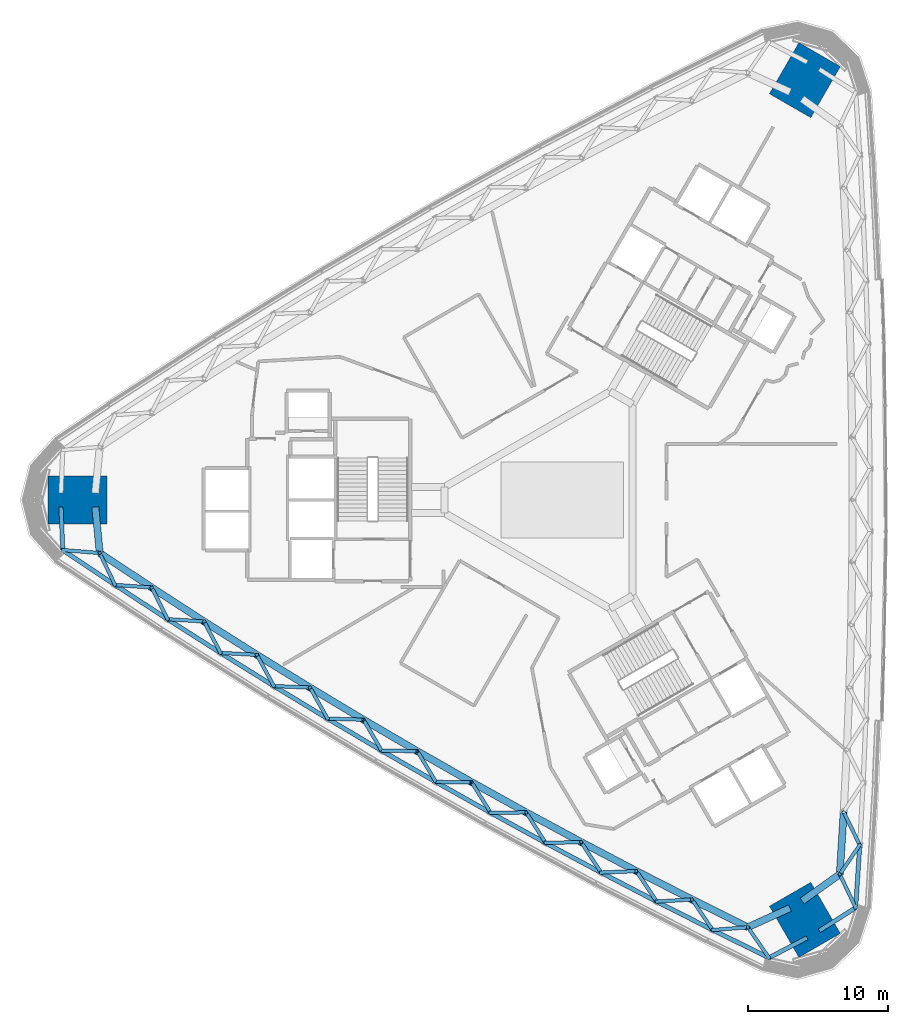
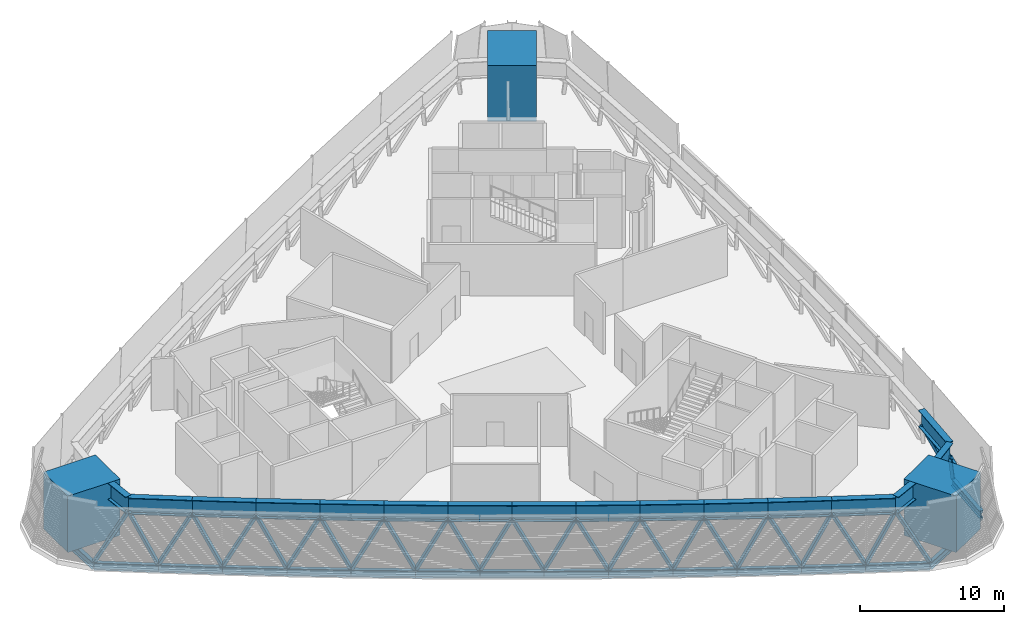
# One storey, part 1 of 19: 33 beams, 29 members, 3 columns.
"""IFC4 building model written with IfcOpenShell, lengths in metres."""

from ifc_helpers import new_model, si_unit, direction, frame, origin, origin_2d, place, context, subcontext, project, spatial, rectangle, hollow_rectangle, i_section, extrude, material, material_profile, profile_set, type_object, element, save


model = new_model("IFC4")

# Units and contexts
model_context = context("Model", 3, precision=1e-05, world=origin(), true_north=direction((0.0, 1.0)))
body_context = subcontext(model_context, "Body", "Model", "MODEL_VIEW")
ifc_project = project(units=[si_unit("LENGTHUNIT", "METRE"), si_unit("AREAUNIT", "SQUARE_METRE"), si_unit("VOLUMEUNIT", "CUBIC_METRE"), si_unit("PLANEANGLEUNIT", "RADIAN"), si_unit("MASSUNIT", "GRAM", prefix="KILO")], contexts=[model_context])

# Site, building, storey
site_placement = place(None, origin())
site = spatial("IfcSite", under=ifc_project, at=site_placement, CompositionType="ELEMENT")
building_placement = place(site_placement, origin())
building = spatial("IfcBuilding", under=site, at=building_placement, Name="Tamra Quay Hotel Tower", CompositionType="ELEMENT")
storey_placement = place(building_placement, frame((0.0, 0.0, 74.60009765625)))
storey = spatial("IfcBuildingStorey", under=building, at=storey_placement, Name="L17", CompositionType="ELEMENT", Elevation=74.60009765625)

# Columns
ifc_material_1 = material(Name="Concrete M70", Category="concrete")
ifc_material_profile_1 = material_profile(ifc_material_1, rectangle(XDim=4.199951171875, YDim=3.39990234375, at=origin_2d()), Name="MEGA COLUMN RC 3400x4200 Z1 BELT")
ifc_profile_set_1 = profile_set([ifc_material_profile_1], Name="Concrete M70")
column_type = type_object("IfcColumnType", Name="MEGA COLUMN RC 3400x4200 Z1 BELT", PredefinedType="COLUMN", material=ifc_profile_set_1)
for number, where, z_axis, x_axis, name in (
    (1, (17.260498046875, 29.896240234375, -0.400146484375), (0.0, 0.0, 1.0), (0.5, 0.866025403784, 0.0), "COL-MR1NE-L17"),
    (2, (-34.521240234375, 0.0, -0.400146484375), (0.0, 0.0, 1.0), (1.0, 0.0, 0.0), "COL-MR1W-L17"),
    (3, (17.260498046875, -29.896240234375, -0.400146484375), (0.0, 0.0, 1.0), (-0.5, 0.866025403784, 0.0), "COL-MR1SE-L17"),
):
    element("IfcColumn", number, at=place(storey_placement, frame(where, z_axis=z_axis, x_axis=x_axis)), inside=storey, type_object=column_type, Name=name, PredefinedType="COLUMN", context=body_context, shape_type="SweptSolid", body=[
        extrude(rectangle(XDim=4.199951171875, YDim=3.39990234375, at=origin_2d()), origin(), (0.0, 0.0, 1.0), 4.775146484375),
    ])

# Members
ifc_material_2 = material(Name="Structural steel IS 2062 E350", Category="steel")
ifc_material_profile_2 = material_profile(ifc_material_2, hollow_rectangle(XDim=0.25, YDim=0.25, WallThickness=0.010009765625, at=origin_2d()), Name="SHS 250x250x10")
ifc_profile_set_2 = profile_set([ifc_material_profile_2], Name="Structural steel IS 2062 E350")
member_type = type_object("IfcMemberType", Name="BELT BRACE SHS 250x250x10 Z1", PredefinedType="BRACE", material=ifc_profile_set_2)
member_1_placement = place(storey_placement, frame((20.87890625, -29.033935546875, -0.400146484375), z_axis=(-0.257144319903, 0.541560682357, 0.800367931683), x_axis=(-0.903340203843, -0.42892479075, 0.0)))
element("IfcMember", 4, at=member_1_placement, inside=storey, type_object=member_type, Name="BR-L17-000", PredefinedType="BRACE", context=body_context, shape_type="SweptSolid", body=[
    extrude(hollow_rectangle(XDim=0.25, YDim=0.25, WallThickness=0.010009765625, at=origin_2d()), origin(), (0.0, 0.0, 1.0), 4.404296875),
])
member_2_placement = place(storey_placement, frame((21.168701171875, -24.572509765625, -0.400146484375), z_axis=(-0.328390852776, -0.479340166839, 0.813874961077), x_axis=(0.824969227405, -0.565177648032, 0.0)))
element("IfcMember", 5, at=member_2_placement, inside=storey, type_object=member_type, Name="BR-L17-001", PredefinedType="BRACE", context=body_context, shape_type="SweptSolid", body=[
    extrude(hollow_rectangle(XDim=0.25, YDim=0.25, WallThickness=0.010009765625, at=origin_2d()), origin(), (0.0, 0.0, 1.0), 4.331298828125),
])
member_3_placement = place(storey_placement, frame((21.168701171875, -24.572509765625, -0.400146484375), z_axis=(-0.260316277706, 0.537190559843, 0.80228532205), x_axis=(-0.899905991628, -0.436083944019, 0.0)))
element("IfcMember", 6, at=member_3_placement, inside=storey, type_object=member_type, Name="BR-L17-002", PredefinedType="BRACE", context=body_context, shape_type="SweptSolid", body=[
    extrude(hollow_rectangle(XDim=0.25, YDim=0.25, WallThickness=0.010009765625, at=origin_2d()), origin(), (0.0, 0.0, 1.0), 4.393798828125),
])
member_4_placement = place(storey_placement, frame((-35.58349609375, -3.564697265625, -0.400146484375), z_axis=(0.597592072659, -0.048113340049, 0.800355434294), x_axis=(0.080252326848, 0.996774580352, 0.0)))
element("IfcMember", 7, at=member_4_placement, inside=storey, type_object=member_type, Name="BR-L17-052", PredefinedType="BRACE", context=body_context, shape_type="SweptSolid", body=[
    extrude(hollow_rectangle(XDim=0.25, YDim=0.25, WallThickness=0.010009765625, at=origin_2d()), origin(), (0.0, 0.0, 1.0), 4.404541015625),
])
member_5_placement = place(storey_placement, frame((-31.86474609375, -6.04638671875, -0.400146484375), z_axis=(-0.250892855872, 0.52405097305, 0.813893944269), x_axis=(-0.901960116012, -0.431819347787, 0.0)))
element("IfcMember", 8, at=member_5_placement, inside=storey, type_object=member_type, Name="BR-L17-053", PredefinedType="BRACE", context=body_context, shape_type="SweptSolid", body=[
    extrude(hollow_rectangle(XDim=0.25, YDim=0.25, WallThickness=0.010009765625, at=origin_2d()), origin(), (0.0, 0.0, 1.0), 4.331298828125),
])
member_6_placement = place(storey_placement, frame((-31.86474609375, -6.04638671875, -0.400146484375), z_axis=(0.595371388912, -0.043117890602, 0.802292812366), x_axis=(0.072232658922, 0.997387809724, 0.0)))
element("IfcMember", 9, at=member_6_placement, inside=storey, type_object=member_type, Name="BR-L17-054", PredefinedType="BRACE", context=body_context, shape_type="SweptSolid", body=[
    extrude(hollow_rectangle(XDim=0.25, YDim=0.25, WallThickness=0.010009765625, at=origin_2d()), origin(), (0.0, 0.0, 1.0), 4.393798828125),
])
member_7_placement = place(storey_placement, frame((-28.1201171875, -8.487548828125, -0.400146484375), z_axis=(-0.260509384514, 0.519722702438, 0.813648064676), x_axis=(-0.893980870712, -0.448105124721, 0.0)))
element("IfcMember", 10, at=member_7_placement, inside=storey, type_object=member_type, Name="BR-L17-055", PredefinedType="BRACE", context=body_context, shape_type="SweptSolid", body=[
    extrude(hollow_rectangle(XDim=0.25, YDim=0.25, WallThickness=0.010009765625, at=origin_2d()), origin(), (0.0, 0.0, 1.0), 4.33251953125),
])
member_8_placement = place(storey_placement, frame((-28.1201171875, -8.487548828125, -0.400146484375), z_axis=(0.593379985169, -0.037754469777, 0.804036562112), x_axis=(0.063497727529, 0.997981983103, 0.0)))
element("IfcMember", 11, at=member_8_placement, inside=storey, type_object=member_type, Name="BR-L17-056", PredefinedType="BRACE", context=body_context, shape_type="SweptSolid", body=[
    extrude(hollow_rectangle(XDim=0.25, YDim=0.25, WallThickness=0.010009765625, at=origin_2d()), origin(), (0.0, 0.0, 1.0), 4.38427734375),
])
member_9_placement = place(storey_placement, frame((-24.348876953125, -10.88818359375, -0.400146484375), z_axis=(-0.269834174054, 0.515619257664, 0.813219711787), x_axis=(-0.886009529196, -0.463667029424, 0.0)))
element("IfcMember", 12, at=member_9_placement, inside=storey, type_object=member_type, Name="BR-L17-057", PredefinedType="BRACE", context=body_context, shape_type="SweptSolid", body=[
    extrude(hollow_rectangle(XDim=0.25, YDim=0.25, WallThickness=0.010009765625, at=origin_2d()), origin(), (0.0, 0.0, 1.0), 4.334716796875),
])
member_10_placement = place(storey_placement, frame((-24.348876953125, -10.88818359375, -0.400146484375), z_axis=(0.591478054416, -0.031805895379, 0.805693549784), x_axis=(0.053696007301, 0.99855732875, 0.0)))
element("IfcMember", 13, at=member_10_placement, inside=storey, type_object=member_type, Name="BR-L17-058", PredefinedType="BRACE", context=body_context, shape_type="SweptSolid", body=[
    extrude(hollow_rectangle(XDim=0.25, YDim=0.25, WallThickness=0.010009765625, at=origin_2d()), origin(), (0.0, 0.0, 1.0), 4.375244140625),
])
member_11_placement = place(storey_placement, frame((-20.552001953125, -13.248046875, -0.400146484375), z_axis=(-0.278684565715, 0.511897174827, 0.812586115582), x_axis=(-0.87827905744, -0.478148405062, 0.0)))
element("IfcMember", 14, at=member_11_placement, inside=storey, type_object=member_type, Name="BR-L17-059", PredefinedType="BRACE", context=body_context, shape_type="SweptSolid", body=[
    extrude(hollow_rectangle(XDim=0.25, YDim=0.25, WallThickness=0.010009765625, at=origin_2d()), origin(), (0.0, 0.0, 1.0), 4.338134765625),
])
member_12_placement = place(storey_placement, frame((-20.552001953125, -13.248046875, -0.400146484375), z_axis=(0.589696146079, -0.025381309283, 0.807226265949), x_axis=(0.043001521906, 0.999075006751, 0.0)))
element("IfcMember", 15, at=member_12_placement, inside=storey, type_object=member_type, Name="BR-L17-060", PredefinedType="BRACE", context=body_context, shape_type="SweptSolid", body=[
    extrude(hollow_rectangle(XDim=0.25, YDim=0.25, WallThickness=0.010009765625, at=origin_2d()), origin(), (0.0, 0.0, 1.0), 4.366943359375),
])
member_13_placement = place(storey_placement, frame((-16.72998046875, -15.56640625, -0.400146484375), z_axis=(-0.287144056424, 0.508391728643, 0.811841204367), x_axis=(-0.870715243805, -0.491787519367, 0.0)))
element("IfcMember", 16, at=member_13_placement, inside=storey, type_object=member_type, Name="BR-L17-061", PredefinedType="BRACE", context=body_context, shape_type="SweptSolid", body=[
    extrude(hollow_rectangle(XDim=0.25, YDim=0.25, WallThickness=0.010009765625, at=origin_2d()), origin(), (0.0, 0.0, 1.0), 4.342041015625),
])
member_14_placement = place(storey_placement, frame((-16.72998046875, -15.56640625, -0.400146484375), z_axis=(0.588105162325, -0.018423785794, 0.80857459901), x_axis=(0.031312005122, 0.99950965895, 0.0)))
element("IfcMember", 17, at=member_14_placement, inside=storey, type_object=member_type, Name="BR-L17-062", PredefinedType="BRACE", context=body_context, shape_type="SweptSolid", body=[
    extrude(hollow_rectangle(XDim=0.25, YDim=0.25, WallThickness=0.010009765625, at=origin_2d()), origin(), (0.0, 0.0, 1.0), 4.359619140625),
])
member_15_placement = place(storey_placement, frame((-12.883056640625, -17.843505859375, -0.400146484375), z_axis=(-0.295120531554, 0.505327220346, 0.810893502399), x_axis=(-0.863521215552, -0.504312512528, 0.0)))
element("IfcMember", 18, at=member_15_placement, inside=storey, type_object=member_type, Name="BR-L17-063", PredefinedType="BRACE", context=body_context, shape_type="SweptSolid", body=[
    extrude(hollow_rectangle(XDim=0.25, YDim=0.25, WallThickness=0.010009765625, at=origin_2d()), origin(), (0.0, 0.0, 1.0), 4.34716796875),
])
for number, where, z_axis, x_axis, name in (
    (19, (-12.883056640625, -17.843505859375, -0.400146484375), (0.586591448855, -0.0109365458, 0.809809152885), (0.018640990259, 0.999826241645, 0.0), "BR-L17-064"),
    (20, (-9.011474609375, -20.07861328125, -0.400146484375), (-0.302801108842, 0.502518602561, 0.80980648464), (-0.856521404741, -0.516111502701, 0.0), "BR-L17-065"),
):
    element("IfcMember", number, at=place(storey_placement, frame(where, z_axis=z_axis, x_axis=x_axis)), inside=storey, type_object=member_type, Name=name, PredefinedType="BRACE", context=body_context, shape_type="SweptSolid", body=[
        extrude(hollow_rectangle(XDim=0.25, YDim=0.25, WallThickness=0.010009765625, at=origin_2d()), origin(), (0.0, 0.0, 1.0), 4.35302734375),
    ])
member_16_placement = place(storey_placement, frame((-9.011474609375, -20.07861328125, -0.400146484375), z_axis=(0.585186501597, -0.002976476448, 0.810893272223), x_axis=(0.005086306567, 0.999987064659, 0.0)))
element("IfcMember", 21, at=member_16_placement, inside=storey, type_object=member_type, Name="BR-L17-066", PredefinedType="BRACE", context=body_context, shape_type="SweptSolid", body=[
    extrude(hollow_rectangle(XDim=0.25, YDim=0.25, WallThickness=0.010009765625, at=origin_2d()), origin(), (0.0, 0.0, 1.0), 4.34716796875),
])
member_17_placement = place(storey_placement, frame((-5.11572265625, -22.27197265625, -0.400146484375), z_axis=(-0.310058241667, 0.500113808258, 0.808548121984), x_axis=(-0.849912067774, -0.526924545881, 0.0)))
element("IfcMember", 22, at=member_17_placement, inside=storey, type_object=member_type, Name="BR-L17-067", PredefinedType="BRACE", context=body_context, shape_type="SweptSolid", body=[
    extrude(hollow_rectangle(XDim=0.25, YDim=0.25, WallThickness=0.010009765625, at=origin_2d()), origin(), (0.0, 0.0, 1.0), 4.35986328125),
])
member_18_placement = place(storey_placement, frame((-5.11572265625, -22.27197265625, -0.400146484375), z_axis=(0.583811205804, 0.005566532734, 0.811870365078), x_axis=(-0.009534383138, 0.999954546736, 0.0)))
element("IfcMember", 23, at=member_18_placement, inside=storey, type_object=member_type, Name="BR-L17-068", PredefinedType="BRACE", context=body_context, shape_type="SweptSolid", body=[
    extrude(hollow_rectangle(XDim=0.25, YDim=0.25, WallThickness=0.010009765625, at=origin_2d()), origin(), (0.0, 0.0, 1.0), 4.342041015625),
])
member_19_placement = place(storey_placement, frame((-1.197265625, -24.422607421875, -0.400146484375), z_axis=(-0.316818656368, 0.498009633126, 0.807225088988), x_axis=(-0.843735581516, -0.536759041362, 0.0)))
element("IfcMember", 24, at=member_19_placement, inside=storey, type_object=member_type, Name="BR-L17-069", PredefinedType="BRACE", context=body_context, shape_type="SweptSolid", body=[
    extrude(hollow_rectangle(XDim=0.25, YDim=0.25, WallThickness=0.010009765625, at=origin_2d()), origin(), (0.0, 0.0, 1.0), 4.366943359375),
])
member_20_placement = place(storey_placement, frame((-1.197265625, -24.422607421875, -0.400146484375), z_axis=(0.582681978095, 0.014575490856, 0.812569546235), x_axis=(-0.025006664736, 0.999687284464, 0.0)))
element("IfcMember", 25, at=member_20_placement, inside=storey, type_object=member_type, Name="BR-L17-070", PredefinedType="BRACE", context=body_context, shape_type="SweptSolid", body=[
    extrude(hollow_rectangle(XDim=0.25, YDim=0.25, WallThickness=0.010009765625, at=origin_2d()), origin(), (0.0, 0.0, 1.0), 4.33837890625),
])
member_21_placement = place(storey_placement, frame((2.744873046875, -26.53076171875, -0.400146484375), z_axis=(-0.323259818665, 0.496301195789, 0.805722168427), x_axis=(-0.837930952009, -0.545776254215, 0.0)))
element("IfcMember", 26, at=member_21_placement, inside=storey, type_object=member_type, Name="BR-L17-071", PredefinedType="BRACE", context=body_context, shape_type="SweptSolid", body=[
    extrude(hollow_rectangle(XDim=0.25, YDim=0.25, WallThickness=0.010009765625, at=origin_2d()), origin(), (0.0, 0.0, 1.0), 4.375244140625),
])
member_22_placement = place(storey_placement, frame((2.744873046875, -26.53076171875, -0.400146484375), z_axis=(0.581495429575, 0.024104604732, 0.813192494686), x_axis=(-0.041417215486, 0.999141938996, 0.0)))
element("IfcMember", 27, at=member_22_placement, inside=storey, type_object=member_type, Name="BR-L17-072", PredefinedType="BRACE", context=body_context, shape_type="SweptSolid", body=[
    extrude(hollow_rectangle(XDim=0.25, YDim=0.25, WallThickness=0.010009765625, at=origin_2d()), origin(), (0.0, 0.0, 1.0), 4.3349609375),
])
member_23_placement = place(storey_placement, frame((6.709716796875, -28.596435546875, -0.400146484375), z_axis=(-0.32938144953, 0.494990989835, 0.804047125912), x_axis=(-0.832525482827, -0.553986751144, 0.0)))
element("IfcMember", 28, at=member_23_placement, inside=storey, type_object=member_type, Name="BR-L17-073", PredefinedType="BRACE", context=body_context, shape_type="SweptSolid", body=[
    extrude(hollow_rectangle(XDim=0.25, YDim=0.25, WallThickness=0.010009765625, at=origin_2d()), origin(), (0.0, 0.0, 1.0), 4.38427734375),
])
member_24_placement = place(storey_placement, frame((6.709716796875, -28.596435546875, -0.400146484375), z_axis=(0.580316870168, 0.034205898251, 0.813672100249), x_axis=(-0.058841355531, 0.998267346395, 0.0)))
element("IfcMember", 29, at=member_24_placement, inside=storey, type_object=member_type, Name="BR-L17-074", PredefinedType="BRACE", context=body_context, shape_type="SweptSolid", body=[
    extrude(hollow_rectangle(XDim=0.25, YDim=0.25, WallThickness=0.010009765625, at=origin_2d()), origin(), (0.0, 0.0, 1.0), 4.332275390625),
])
member_25_placement = place(storey_placement, frame((10.69580078125, -30.618896484375, -0.400146484375), z_axis=(-0.335004707803, 0.494033315156, 0.802310992862), x_axis=(-0.827656462871, -0.561235048324, 0.0)))
element("IfcMember", 30, at=member_25_placement, inside=storey, type_object=member_type, Name="BR-L17-075", PredefinedType="BRACE", context=body_context, shape_type="SweptSolid", body=[
    extrude(hollow_rectangle(XDim=0.25, YDim=0.25, WallThickness=0.010009765625, at=origin_2d()), origin(), (0.0, 0.0, 1.0), 4.393798828125),
])
member_26_placement = place(storey_placement, frame((10.69580078125, -30.618896484375, -0.400146484375), z_axis=(0.579327387241, 0.044754421626, 0.813865357499), x_axis=(-0.077022891976, 0.9970293246, 0.0)))
element("IfcMember", 31, at=member_26_placement, inside=storey, type_object=member_type, Name="BR-L17-076", PredefinedType="BRACE", context=body_context, shape_type="SweptSolid", body=[
    extrude(hollow_rectangle(XDim=0.25, YDim=0.25, WallThickness=0.010009765625, at=origin_2d()), origin(), (0.0, 0.0, 1.0), 4.331298828125),
])
member_27_placement = place(storey_placement, frame((14.70458984375, -32.5986328125, -0.400146484375), z_axis=(-0.340449577569, 0.493491141176, 0.800350285009), x_axis=(-0.823126355964, -0.567858258826, 0.0)))
element("IfcMember", 32, at=member_27_placement, inside=storey, type_object=member_type, Name="BR-L17-077", PredefinedType="BRACE", context=body_context, shape_type="SweptSolid", body=[
    extrude(hollow_rectangle(XDim=0.25, YDim=0.25, WallThickness=0.010009765625, at=origin_2d()), origin(), (0.0, 0.0, 1.0), 4.404541015625),
])

# Beams
ifc_material_profile_3 = material_profile(ifc_material_2, i_section(OverallWidth=0.304931640625, OverallDepth=0.6201171875, WebThickness=0.02099609375, FlangeThickness=0.0400390625, at=origin_2d()), Name="WPB 600x300x285")
ifc_profile_set_3 = profile_set([ifc_material_profile_3], Name="Structural steel IS 2062 E350")
beam_type_1 = type_object("IfcBeamType", Name="BELT CHORD WPB 600x300x285 Z1", PredefinedType="BEAM", material=ifc_profile_set_3)
beam_1_placement = place(storey_placement, frame((20.87890625, -29.033935546875, -0.710205078125), z_axis=(0.064819075057, 0.997897032518, 0.0), x_axis=(-0.997897032518, 0.064819075057, 0.0)))
element("IfcBeam", 33, at=beam_1_placement, inside=storey, type_object=beam_type_1, Name="BM-CHB-L17-000", PredefinedType="BEAM", context=body_context, shape_type="SweptSolid", body=[
    extrude(i_section(OverallWidth=0.304931640625, OverallDepth=0.6201171875, WebThickness=0.02099609375, FlangeThickness=0.0400390625, at=origin_2d()), origin(), (0.0, 0.0, 1.0), 4.470947265625),
])
beam_2_placement = place(storey_placement, frame((-35.70849609375, -0.4990234375, -0.710205078125), z_axis=(0.040740218492, -0.99916977266, 0.0), x_axis=(0.99916977266, 0.040740218492, 0.0)))
element("IfcBeam", 34, at=beam_2_placement, inside=storey, type_object=beam_type_1, Name="BM-CHB-L17-029", PredefinedType="BEAM", context=body_context, shape_type="SweptSolid", body=[
    extrude(i_section(OverallWidth=0.304931640625, OverallDepth=0.6201171875, WebThickness=0.02099609375, FlangeThickness=0.0400390625, at=origin_2d()), origin(), (0.0, 0.0, 1.0), 3.068115234375),
])
beam_3_placement = place(storey_placement, frame((-35.58349609375, -3.564697265625, -0.710205078125), z_axis=(0.831789764253, -0.555090792649, 0.0), x_axis=(0.555090792649, 0.831789764253, 0.0)))
element("IfcBeam", 35, at=beam_3_placement, inside=storey, type_object=beam_type_1, Name="BM-CHB-L17-030", PredefinedType="BEAM", context=body_context, shape_type="SweptSolid", body=[
    extrude(i_section(OverallWidth=0.304931640625, OverallDepth=0.6201171875, WebThickness=0.02099609375, FlangeThickness=0.0400390625, at=origin_2d()), origin(), (0.0, 0.0, 1.0), 4.470703125),
])
beam_4_placement = place(storey_placement, frame((-31.86474609375, -6.04638671875, -0.710205078125), z_axis=(0.83771163073, -0.546112830595, 0.0), x_axis=(0.546112830595, 0.83771163073, 0.0)))
element("IfcBeam", 36, at=beam_4_placement, inside=storey, type_object=beam_type_1, Name="BM-CHB-L17-031", PredefinedType="BEAM", context=body_context, shape_type="SweptSolid", body=[
    extrude(i_section(OverallWidth=0.304931640625, OverallDepth=0.6201171875, WebThickness=0.02099609375, FlangeThickness=0.0400390625, at=origin_2d()), origin(), (0.0, 0.0, 1.0), 4.469970703125),
])
for number, where, z_axis, x_axis, name in (
    (37, (-28.1201171875, -8.487548828125, -0.710205078125), (0.84358502297, -0.536995632218, 0.0), (0.536995632218, 0.84358502297, 0.0), "BM-CHB-L17-032"),
    (38, (-24.348876953125, -10.88818359375, -0.710205078125), (0.849321059762, -0.527876630894, 0.0), (0.527876630894, 0.849321059762, 0.0), "BM-CHB-L17-033"),
):
    element("IfcBeam", number, at=place(storey_placement, frame(where, z_axis=z_axis, x_axis=x_axis)), inside=storey, type_object=beam_type_1, Name=name, PredefinedType="BEAM", context=body_context, shape_type="SweptSolid", body=[
        extrude(i_section(OverallWidth=0.304931640625, OverallDepth=0.6201171875, WebThickness=0.02099609375, FlangeThickness=0.0400390625, at=origin_2d()), origin(), (0.0, 0.0, 1.0), 4.470458984375),
    ])
beam_5_placement = place(storey_placement, frame((-20.552001953125, -13.248046875, -0.710205078125), z_axis=(0.855001169933, -0.518626068968, 0.0), x_axis=(0.518626068968, 0.855001169933, 0.0)))
element("IfcBeam", 39, at=beam_5_placement, inside=storey, type_object=beam_type_1, Name="BM-CHB-L17-034", PredefinedType="BEAM", context=body_context, shape_type="SweptSolid", body=[
    extrude(i_section(OverallWidth=0.304931640625, OverallDepth=0.6201171875, WebThickness=0.02099609375, FlangeThickness=0.0400390625, at=origin_2d()), origin(), (0.0, 0.0, 1.0), 4.47021484375),
])
for number, where, z_axis, x_axis, name in (
    (40, (-16.72998046875, -15.56640625, -0.710205078125), (0.860542484372, -0.509378673081, 0.0), (0.509378673081, 0.860542484372, 0.0), "BM-CHB-L17-035"),
    (41, (-12.883056640625, -17.843505859375, -0.710205078125), (0.866040078481, -0.499974581819, 0.0), (0.499974581819, 0.866040078481, 0.0), "BM-CHB-L17-036"),
):
    element("IfcBeam", number, at=place(storey_placement, frame(where, z_axis=z_axis, x_axis=x_axis)), inside=storey, type_object=beam_type_1, Name=name, PredefinedType="BEAM", context=body_context, shape_type="SweptSolid", body=[
        extrude(i_section(OverallWidth=0.304931640625, OverallDepth=0.6201171875, WebThickness=0.02099609375, FlangeThickness=0.0400390625, at=origin_2d()), origin(), (0.0, 0.0, 1.0), 4.470458984375),
    ])
beam_6_placement = place(storey_placement, frame((-9.011474609375, -20.07861328125, -0.710205078125), z_axis=(0.871384422967, -0.490600843262, 0.0), x_axis=(0.490600843262, 0.871384422967, 0.0)))
element("IfcBeam", 42, at=beam_6_placement, inside=storey, type_object=beam_type_1, Name="BM-CHB-L17-037", PredefinedType="BEAM", context=body_context, shape_type="SweptSolid", body=[
    extrude(i_section(OverallWidth=0.304931640625, OverallDepth=0.6201171875, WebThickness=0.02099609375, FlangeThickness=0.0400390625, at=origin_2d()), origin(), (0.0, 0.0, 1.0), 4.470703125),
])
beam_7_placement = place(storey_placement, frame((-5.11572265625, -22.27197265625, -0.710205078125), z_axis=(0.876642246972, -0.481142775924, 0.0), x_axis=(0.481142775924, 0.876642246972, 0.0)))
element("IfcBeam", 43, at=beam_7_placement, inside=storey, type_object=beam_type_1, Name="BM-CHB-L17-038", PredefinedType="BEAM", context=body_context, shape_type="SweptSolid", body=[
    extrude(i_section(OverallWidth=0.304931640625, OverallDepth=0.6201171875, WebThickness=0.02099609375, FlangeThickness=0.0400390625, at=origin_2d()), origin(), (0.0, 0.0, 1.0), 4.4697265625),
])
beam_8_placement = place(storey_placement, frame((-1.197265625, -24.422607421875, -0.710205078125), z_axis=(0.881824782684, -0.471577196908, 0.0), x_axis=(0.471577196908, 0.881824782684, 0.0)))
element("IfcBeam", 44, at=beam_8_placement, inside=storey, type_object=beam_type_1, Name="BM-CHB-L17-039", PredefinedType="BEAM", context=body_context, shape_type="SweptSolid", body=[
    extrude(i_section(OverallWidth=0.304931640625, OverallDepth=0.6201171875, WebThickness=0.02099609375, FlangeThickness=0.0400390625, at=origin_2d()), origin(), (0.0, 0.0, 1.0), 4.470458984375),
])
beam_9_placement = place(storey_placement, frame((2.744873046875, -26.53076171875, -0.710205078125), z_axis=(0.886854414892, -0.462048965788, 0.0), x_axis=(0.462048965788, 0.886854414892, 0.0)))
element("IfcBeam", 45, at=beam_9_placement, inside=storey, type_object=beam_type_1, Name="BM-CHB-L17-040", PredefinedType="BEAM", context=body_context, shape_type="SweptSolid", body=[
    extrude(i_section(OverallWidth=0.304931640625, OverallDepth=0.6201171875, WebThickness=0.02099609375, FlangeThickness=0.0400390625, at=origin_2d()), origin(), (0.0, 0.0, 1.0), 4.470703125),
])
beam_10_placement = place(storey_placement, frame((6.709716796875, -28.596435546875, -0.710205078125), z_axis=(0.891779013779, -0.452471204149, 0.0), x_axis=(0.452471204149, 0.891779013779, 0.0)))
element("IfcBeam", 46, at=beam_10_placement, inside=storey, type_object=beam_type_1, Name="BM-CHB-L17-041", PredefinedType="BEAM", context=body_context, shape_type="SweptSolid", body=[
    extrude(i_section(OverallWidth=0.304931640625, OverallDepth=0.6201171875, WebThickness=0.02099609375, FlangeThickness=0.0400390625, at=origin_2d()), origin(), (0.0, 0.0, 1.0), 4.4697265625),
])
beam_11_placement = place(storey_placement, frame((10.69580078125, -30.618896484375, -0.710205078125), z_axis=(0.896622370987, -0.442796029618, 0.0), x_axis=(0.442796029618, 0.896622370987, 0.0)))
element("IfcBeam", 47, at=beam_11_placement, inside=storey, type_object=beam_type_1, Name="BM-CHB-L17-042", PredefinedType="BEAM", context=body_context, shape_type="SweptSolid", body=[
    extrude(i_section(OverallWidth=0.304931640625, OverallDepth=0.6201171875, WebThickness=0.02099609375, FlangeThickness=0.0400390625, at=origin_2d()), origin(), (0.0, 0.0, 1.0), 4.470947265625),
])
beam_12_placement = place(storey_placement, frame((14.70458984375, -32.5986328125, -0.710205078125), z_axis=(0.885683510447, 0.464289477936, 0.0), x_axis=(-0.464289477936, 0.885683510447, 0.0)))
element("IfcBeam", 48, at=beam_12_placement, inside=storey, type_object=beam_type_1, Name="BM-CHB-L17-043", PredefinedType="BEAM", context=body_context, shape_type="SweptSolid", body=[
    extrude(i_section(OverallWidth=0.304931640625, OverallDepth=0.6201171875, WebThickness=0.02099609375, FlangeThickness=0.0400390625, at=origin_2d()), origin(), (0.0, 0.0, 1.0), 3.067626953125),
])
beam_13_placement = place(storey_placement, frame((18.28662109375, -30.6748046875, -0.710205078125), z_axis=(0.844953339832, 0.534840026089, 0.0), x_axis=(-0.534840026089, 0.844953339832, 0.0)))
element("IfcBeam", 49, at=beam_13_placement, inside=storey, type_object=beam_type_1, Name="BM-CHB-L17-044", PredefinedType="BEAM", context=body_context, shape_type="SweptSolid", body=[
    extrude(i_section(OverallWidth=0.304931640625, OverallDepth=0.6201171875, WebThickness=0.02099609375, FlangeThickness=0.0400390625, at=origin_2d()), origin(), (0.0, 0.0, 1.0), 3.06787109375),
])
ifc_material_profile_4 = material_profile(ifc_material_2, i_section(OverallWidth=0.5, OverallDepth=1.39990234375, WebThickness=0.02490234375, FlangeThickness=0.050048828125, at=origin_2d()), Name="WPG 1400x500x25x50")
ifc_profile_set_4 = profile_set([ifc_material_profile_4], Name="Structural steel IS 2062 E350")
beam_type_2 = type_object("IfcBeamType", Name="BELT TOP CHORD WPG 1400x500x25x50 Z1", PredefinedType="USERDEFINED", material=ifc_profile_set_4)
beam_14_placement = place(storey_placement, frame((19.746337890625, -26.648681640625, 3.6748046875), z_axis=(0.062665499823, 0.99803458614, 0.0), x_axis=(-0.99803458614, 0.062665499823, 0.0)))
element("IfcBeam", 50, at=beam_14_placement, inside=storey, type_object=beam_type_2, Name="BM-CHT-L17-000", ObjectType="TRANSFER GIRDER", PredefinedType="USERDEFINED", context=body_context, shape_type="SweptSolid", body=[
    extrude(i_section(OverallWidth=0.5, OverallDepth=1.39990234375, WebThickness=0.02490234375, FlangeThickness=0.050048828125, at=origin_2d()), origin(), (0.0, 0.0, 1.0), 4.4453125),
])
beam_15_placement = place(storey_placement, frame((-33.26611328125, -0.497802734375, 3.6748046875), z_axis=(0.095540102375, -0.995425581768, 0.0), x_axis=(0.995425581768, 0.095540102375, 0.0)))
element("IfcBeam", 51, at=beam_15_placement, inside=storey, type_object=beam_type_2, Name="BM-CHT-L17-027", ObjectType="TRANSFER GIRDER", PredefinedType="USERDEFINED", context=body_context, shape_type="SweptSolid", body=[
    extrude(i_section(OverallWidth=0.5, OverallDepth=1.39990234375, WebThickness=0.02490234375, FlangeThickness=0.050048828125, at=origin_2d()), origin(), (0.0, 0.0, 1.0), 3.2939453125),
])
beam_16_placement = place(storey_placement, frame((-32.951416015625, -3.776611328125, 3.6748046875), z_axis=(0.833003924597, -0.553267079814, 0.0), x_axis=(0.553267079814, 0.833003924597, 0.0)))
element("IfcBeam", 52, at=beam_16_placement, inside=storey, type_object=beam_type_2, Name="BM-CHT-L17-028", ObjectType="TRANSFER GIRDER", PredefinedType="USERDEFINED", context=body_context, shape_type="SweptSolid", body=[
    extrude(i_section(OverallWidth=0.5, OverallDepth=1.39990234375, WebThickness=0.02490234375, FlangeThickness=0.050048828125, at=origin_2d()), origin(), (0.0, 0.0, 1.0), 4.44482421875),
])
beam_17_placement = place(storey_placement, frame((-29.248779296875, -6.23583984375, 3.6748046875), z_axis=(0.839204512616, -0.543815948649, 0.0), x_axis=(0.543815948649, 0.839204512616, 0.0)))
element("IfcBeam", 53, at=beam_17_placement, inside=storey, type_object=beam_type_2, Name="BM-CHT-L17-029", ObjectType="TRANSFER GIRDER", PredefinedType="USERDEFINED", context=body_context, shape_type="SweptSolid", body=[
    extrude(i_section(OverallWidth=0.5, OverallDepth=1.39990234375, WebThickness=0.02490234375, FlangeThickness=0.050048828125, at=origin_2d()), origin(), (0.0, 0.0, 1.0), 4.445068359375),
])
for number, where, z_axis, x_axis, name in (
    (54, (-25.5185546875, -8.653076171875, 3.6748046875), (0.845380554477, -0.534164504729, 0.0), (0.534164504729, 0.845380554477, 0.0), "BM-CHT-L17-030"),
    (55, (-21.760986328125, -11.02734375, 3.6748046875), (0.851375304544, -0.524557042477, 0.0), (0.524557042477, 0.851375304544, 0.0), "BM-CHT-L17-031"),
    (56, (-17.976806640625, -13.35888671875, 3.6748046875), (0.857357193624, -0.514721907967, 0.0), (0.514721907967, 0.857357193624, 0.0), "BM-CHT-L17-032"),
    (57, (-14.166015625, -15.646728515625, 3.6748046875), (0.863144691762, -0.504956672481, 0.0), (0.504956672481, 0.863144691762, 0.0), "BM-CHT-L17-033"),
    (58, (-10.32958984375, -17.89111328125, 3.6748046875), (0.868867759144, -0.495044257739, 0.0), (0.495044257739, 0.868867759144, 0.0), "BM-CHT-L17-034"),
    (59, (-6.467529296875, -20.091552734375, 3.6748046875), (0.874447303587, -0.485120514151, 0.0), (0.485120514151, 0.874447303587, 0.0), "BM-CHT-L17-035"),
):
    element("IfcBeam", number, at=place(storey_placement, frame(where, z_axis=z_axis, x_axis=x_axis)), inside=storey, type_object=beam_type_2, Name=name, ObjectType="TRANSFER GIRDER", PredefinedType="USERDEFINED", context=body_context, shape_type="SweptSolid", body=[
        extrude(i_section(OverallWidth=0.5, OverallDepth=1.39990234375, WebThickness=0.02490234375, FlangeThickness=0.050048828125, at=origin_2d()), origin(), (0.0, 0.0, 1.0), 4.44482421875),
    ])
beam_18_placement = place(storey_placement, frame((-2.580810546875, -22.247802734375, 3.6748046875), z_axis=(0.879959126685, -0.475049403077, 0.0), x_axis=(0.475049403077, 0.879959126685, 0.0)))
element("IfcBeam", 60, at=beam_18_placement, inside=storey, type_object=beam_type_2, Name="BM-CHT-L17-036", ObjectType="TRANSFER GIRDER", PredefinedType="USERDEFINED", context=body_context, shape_type="SweptSolid", body=[
    extrude(i_section(OverallWidth=0.5, OverallDepth=1.39990234375, WebThickness=0.02490234375, FlangeThickness=0.050048828125, at=origin_2d()), origin(), (0.0, 0.0, 1.0), 4.445068359375),
])
for number, where, z_axis, x_axis, name in (
    (61, (1.33056640625, -24.359375, 3.6748046875), (0.885306332423, -0.4650082771, 0.0), (0.4650082771, 0.885306332423, 0.0), "BM-CHT-L17-037"),
    (62, (5.265625, -26.42626953125, 3.6748046875), (0.890538040602, -0.454908780131, 0.0), (0.454908780131, 0.890538040602, 0.0), "BM-CHT-L17-038"),
):
    element("IfcBeam", number, at=place(storey_placement, frame(where, z_axis=z_axis, x_axis=x_axis)), inside=storey, type_object=beam_type_2, Name=name, ObjectType="TRANSFER GIRDER", PredefinedType="USERDEFINED", context=body_context, shape_type="SweptSolid", body=[
        extrude(i_section(OverallWidth=0.5, OverallDepth=1.39990234375, WebThickness=0.02490234375, FlangeThickness=0.050048828125, at=origin_2d()), origin(), (0.0, 0.0, 1.0), 4.44482421875),
    ])
beam_19_placement = place(storey_placement, frame((9.223876953125, -28.4482421875, 3.6748046875), z_axis=(0.895665054819, -0.444729254239, 0.0), x_axis=(0.444729254239, 0.895665054819, 0.0)))
element("IfcBeam", 63, at=beam_19_placement, inside=storey, type_object=beam_type_2, Name="BM-CHT-L17-039", ObjectType="TRANSFER GIRDER", PredefinedType="USERDEFINED", context=body_context, shape_type="SweptSolid", body=[
    extrude(i_section(OverallWidth=0.5, OverallDepth=1.39990234375, WebThickness=0.02490234375, FlangeThickness=0.050048828125, at=origin_2d()), origin(), (0.0, 0.0, 1.0), 4.445068359375),
])
beam_20_placement = place(storey_placement, frame((13.205078125, -30.425048828125, 3.6748046875), z_axis=(0.909820030099, 0.415003027495, 0.0), x_axis=(-0.415003027495, 0.909820030099, 0.0)))
element("IfcBeam", 64, at=beam_20_placement, inside=storey, type_object=beam_type_2, Name="BM-CHT-L17-040", ObjectType="TRANSFER GIRDER", PredefinedType="USERDEFINED", context=body_context, shape_type="SweptSolid", body=[
    extrude(i_section(OverallWidth=0.5, OverallDepth=1.39990234375, WebThickness=0.02490234375, FlangeThickness=0.050048828125, at=origin_2d()), origin(), (0.0, 0.0, 1.0), 3.29443359375),
])
beam_21_placement = place(storey_placement, frame((17.063720703125, -28.560546875, 3.6748046875), z_axis=(0.814348949885, 0.580375557567, 0.0), x_axis=(-0.580375557567, 0.814348949885, 0.0)))
element("IfcBeam", 65, at=beam_21_placement, inside=storey, type_object=beam_type_2, Name="BM-CHT-L17-041", ObjectType="TRANSFER GIRDER", PredefinedType="USERDEFINED", context=body_context, shape_type="SweptSolid", body=[
    extrude(i_section(OverallWidth=0.5, OverallDepth=1.39990234375, WebThickness=0.02490234375, FlangeThickness=0.050048828125, at=origin_2d()), origin(), (0.0, 0.0, 1.0), 3.294189453125),
])

save(model, "model.ifc")
